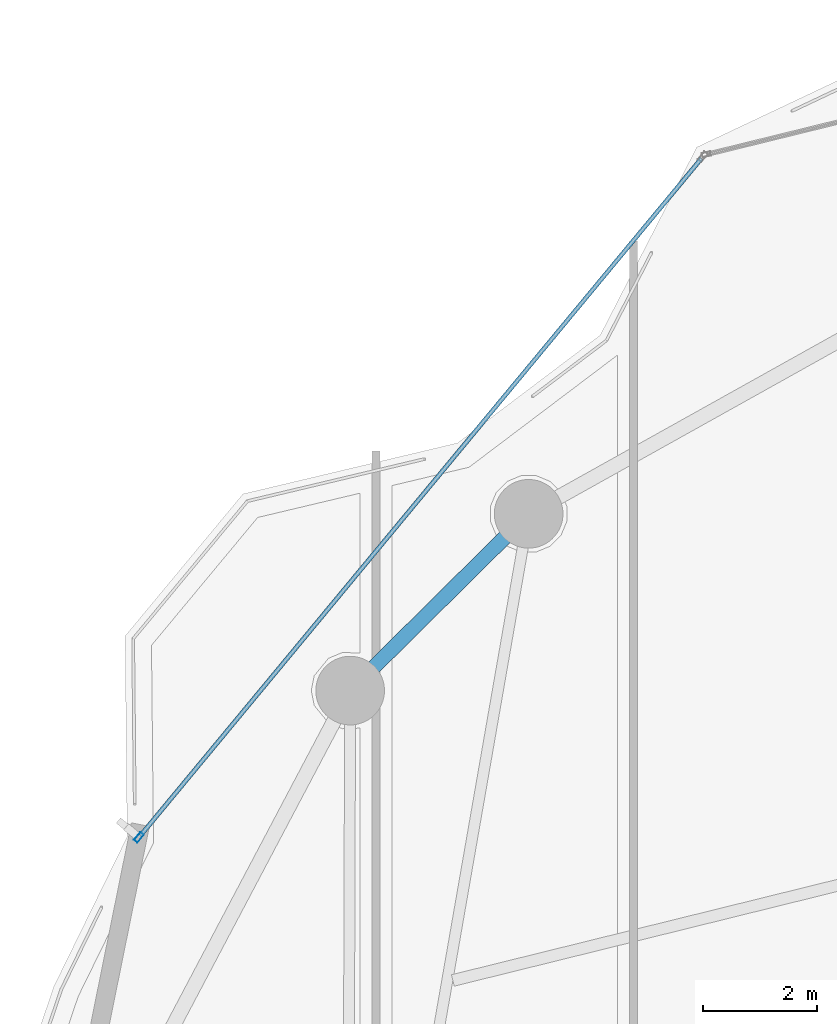
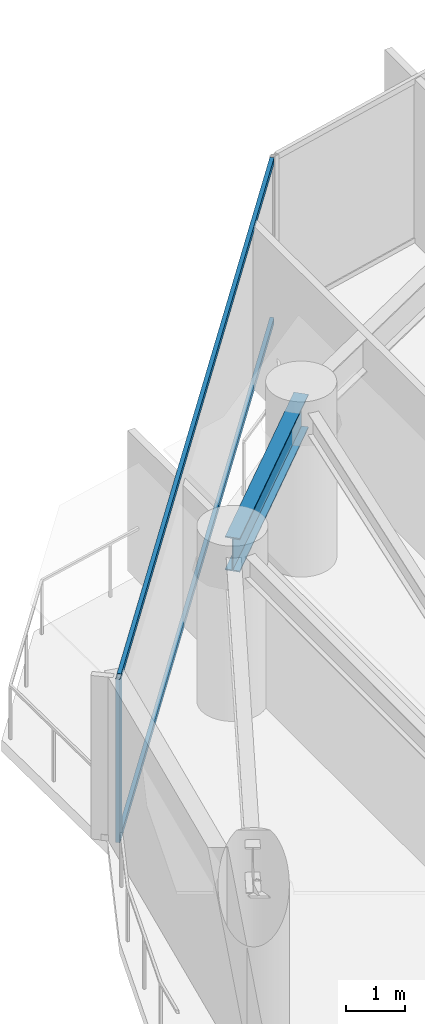
# One storey, part 16 of 28: 3 members, 1 beam, 1 element without a shape of its own.
"""IFC4 building model written with IfcOpenShell, lengths in metres."""

import ifcopenshell
import ifcopenshell.guid

model = None  # the IFC model being written
_history = None  # IfcOwnerHistory: only IFC2X3 demands one
_inside = {}  # id of a spatial element -> (the spatial element, [elements in it])
_under = {}  # id of a project, library or spatial element -> (it, [spatial elements below it])
_declared = {}  # id of a project -> (the project, [libraries it declares])
_typed = {}  # id of a type object -> (the type object, [elements of that type])
_made_of = {}  # id of a material, layer set ... -> (it, [elements and type objects made of it])


def new_model(schema):
    """Start an empty IFC model of exactly this schema.

    Asked for "IFC4X3", IfcOpenShell would pick the latest addendum, in which some entities
    have other attributes; the version numbers below select the first issue.
    IFC2X3 requires an IfcOwnerHistory on every rooted entity: one is made here for all.
    """
    global model, _history
    if schema == "IFC4X3":
        model = ifcopenshell.file(schema_version=(4, 3, 0, 0))
    else:
        model = ifcopenshell.file(schema=schema)
    _inside.clear()
    _under.clear()
    _declared.clear()
    _typed.clear()
    _made_of.clear()
    _history = None
    if model.schema == "IFC2X3":
        org = make("IfcOrganization", Name="unknown")
        user = make(
            "IfcPersonAndOrganization",
            ThePerson=make("IfcPerson", FamilyName="unknown"),
            TheOrganization=org,
        )
        app = make(
            "IfcApplication",
            ApplicationDeveloper=org,
            Version="unknown",
            ApplicationFullName="unknown",
            ApplicationIdentifier="unknown",
        )
        _history = make(
            "IfcOwnerHistory",
            OwningUser=user,
            OwningApplication=app,
            ChangeAction="ADDED",
            CreationDate=0,
        )
    return model


def make(cls, **values):
    """One entity of the class cls with the attributes given. An attribute that is None is left unset."""
    return model.create_entity(
        cls, **{name: value for name, value in values.items() if value is not None}
    )


def rooted(cls, **values):
    """An entity with a GlobalId (a new one), such as an element, a storey or a relation."""
    return make(cls, GlobalId=ifcopenshell.guid.new(), OwnerHistory=_history, **values)


def si_unit(unit_type, name, prefix=None):
    """IfcSIUnit, for example si_unit("LENGTHUNIT", "METRE", prefix="MILLI")."""
    return make("IfcSIUnit", UnitType=unit_type, Prefix=prefix, Name=name)


def assignment(units):
    """IfcUnitAssignment: the units of a project."""
    return None if units is None else make("IfcUnitAssignment", Units=units)


def point(xyz):
    """IfcCartesianPoint."""
    return None if xyz is None else make("IfcCartesianPoint", Coordinates=xyz)


def direction(xyz):
    """IfcDirection."""
    return None if xyz is None else make("IfcDirection", DirectionRatios=xyz)


def frame(location, z_axis=None, x_axis=None):
    """IfcAxis2Placement3D, a coordinate frame: its origin and axes. An axis left out is left unset."""
    return make(
        "IfcAxis2Placement3D",
        Location=point(location),
        Axis=direction(z_axis),
        RefDirection=direction(x_axis),
    )


def frame_2d(location, x_axis=None):
    """IfcAxis2Placement2D, a coordinate frame in the plane: its origin and x axis."""
    return make(
        "IfcAxis2Placement2D", Location=point(location), RefDirection=direction(x_axis)
    )


def origin():
    """The frame at (0, 0, 0) with its axes left unset."""
    return frame((0.0, 0.0, 0.0))


def origin_2d():
    """The frame at (0, 0) in the plane with its x axis left unset."""
    return frame_2d((0.0, 0.0))


def place(relative_to, where):
    """IfcLocalPlacement: puts the frame where relative to a parent placement (None: the world)."""
    return make(
        "IfcLocalPlacement", PlacementRelTo=relative_to, RelativePlacement=where
    )


def context(
    kind, dimensions, precision=None, world=None, true_north=None, identifier=None
):
    """IfcGeometricRepresentationContext, for example the 3D "Model" context."""
    return make(
        "IfcGeometricRepresentationContext",
        ContextIdentifier=identifier,
        ContextType=kind,
        CoordinateSpaceDimension=dimensions,
        Precision=precision,
        WorldCoordinateSystem=world,
        TrueNorth=true_north,
    )


def subcontext(parent, identifier, kind, view, scale=None):
    """IfcGeometricRepresentationSubContext, for example "Body" below "Model"."""
    return make(
        "IfcGeometricRepresentationSubContext",
        ContextIdentifier=identifier,
        ContextType=kind,
        ParentContext=parent,
        TargetScale=scale,
        TargetView=view,
    )


def project(units=None, contexts=None):
    """IfcProject with its units and contexts."""
    return rooted(
        "IfcProject",
        Name="project",
        RepresentationContexts=contexts,
        UnitsInContext=assignment(units),
    )


def spatial(cls, under=None, at=None, **own):
    """A site, building, storey or space (cls), placed at a placement, below another one or the project."""
    s = rooted(cls, ObjectPlacement=at, **own)
    if under is not None:
        _under.setdefault(under.id(), (under, []))[1].append(s)
    return s


def profile(cls, at=None, kind="AREA", **sizes):
    """A parametric profile (cls). Its sizes go by their IFC names, for example OverallWidth=200.0."""
    return make(cls, ProfileType=kind, Position=at, **sizes)


def hollow_rectangle(**sizes):
    """IfcRectangleHollowProfileDef."""
    return profile("IfcRectangleHollowProfileDef", **sizes)


def i_section(**sizes):
    """IfcIShapeProfileDef."""
    return profile("IfcIShapeProfileDef", **sizes)


def extrude(swept, where, along, depth):
    """IfcExtrudedAreaSolid: the profile swept, set in the frame where, extruded along a direction by depth."""
    return make(
        "IfcExtrudedAreaSolid",
        SweptArea=swept,
        Position=where,
        ExtrudedDirection=direction(along),
        Depth=depth,
    )


def shape(context_of_items, identifier, shape_type, items):
    """IfcShapeRepresentation: the items that make up one representation, for example the "Body"."""
    return make(
        "IfcShapeRepresentation",
        ContextOfItems=context_of_items,
        RepresentationIdentifier=identifier,
        RepresentationType=shape_type,
        Items=items,
    )


def material(Name=None, Category=None):
    """IfcMaterial."""
    return make("IfcMaterial", Name=Name, Category=Category)


def layer(
    of_material, thickness, ventilated=None, Name=None, Category=None, Priority=None
):
    """IfcMaterialLayer: one layer of a wall or slab, of a material (None: an air gap)."""
    return make(
        "IfcMaterialLayer",
        Material=of_material,
        LayerThickness=thickness,
        IsVentilated=ventilated,
        Name=Name,
        Category=Category,
        Priority=Priority,
    )


def layer_set(layers, Name=None):
    """IfcMaterialLayerSet."""
    return make("IfcMaterialLayerSet", MaterialLayers=layers, LayerSetName=Name)


def material_profile(
    of_material, cross_section, Name=None, Category=None, Priority=None
):
    """IfcMaterialProfile: a cross section and its material."""
    return make(
        "IfcMaterialProfile",
        Name=Name,
        Material=of_material,
        Profile=cross_section,
        Priority=Priority,
        Category=Category,
    )


def profile_set(profiles, Name=None, composite=None):
    """IfcMaterialProfileSet."""
    return make(
        "IfcMaterialProfileSet",
        Name=Name,
        MaterialProfiles=profiles,
        CompositeProfile=composite,
    )


def made_of(thing, what):
    """Note that an element or type object is made of a material, layer set ...; save() writes the relation."""
    if what is not None:
        _made_of.setdefault(what.id(), (what, []))[1].append(thing)
    return thing


def type_object(cls, material=None, **own):
    """A type object (cls), such as IfcWallType, which elements share."""
    return made_of(rooted(cls, **own), material)


def element(
    cls,
    number,
    at=None,
    inside=None,
    cuts=None,
    type_object=None,
    material=None,
    context=None,
    identifier="Body",
    shape_type=None,
    held_by="IfcProductDefinitionShape",
    body=None,
    shapes=None,
    **own,
):
    """One element of the class cls, such as IfcWall. Its Tag is "e" and its number.

    at: its placement. inside: the storey or other place that contains it. cuts: it is an
    opening in that element (IfcRelVoidsElement). A single representation is given by context,
    identifier, shape_type and body (its items); several are given by shapes. held_by: the class
    of the entity that holds the representations. save() writes the other relations.
    """
    e = rooted(cls, Tag="e%d" % number, ObjectPlacement=at, **own)
    if body is not None:
        shapes = [shape(context, identifier, shape_type, body)]
    if shapes is not None:
        e.Representation = make(held_by, Representations=shapes)
    if inside is not None:
        _inside.setdefault(inside.id(), (inside, []))[1].append(e)
    if cuts is not None:
        rooted(
            "IfcRelVoidsElement", RelatingBuildingElement=cuts, RelatedOpeningElement=e
        )
    if type_object is not None:
        _typed.setdefault(type_object.id(), (type_object, []))[1].append(e)
    return made_of(e, material)


def aggregate(whole, parts):
    """IfcRelAggregates: a whole, such as a stair, and the parts it consists of."""
    return rooted("IfcRelAggregates", RelatingObject=whole, RelatedObjects=parts)


def save(model, path):
    """Write the relations noted so far, then the file.

    IfcRelAggregates (storeys below a building ...), IfcRelContainedInSpatialStructure (elements
    in a storey), IfcRelDefinesByType, IfcRelAssociatesMaterial and IfcRelDeclares: one each for
    every whole, place, type object, material and project.
    """
    for whole, parts in _under.values():
        aggregate(whole, parts)
    for where, things in _inside.values():
        rooted(
            "IfcRelContainedInSpatialStructure",
            RelatedElements=things,
            RelatingStructure=where,
        )
    for kind, things in _typed.values():
        rooted("IfcRelDefinesByType", RelatedObjects=things, RelatingType=kind)
    for what, things in _made_of.values():
        rooted("IfcRelAssociatesMaterial", RelatedObjects=things, RelatingMaterial=what)
    for by, libraries in _declared.values():
        rooted("IfcRelDeclares", RelatingContext=by, RelatedDefinitions=libraries)
    model.write(path)


model = new_model("IFC4")

# Units and contexts
model_context = context("Model", 3, precision=1e-05, world=origin(), true_north=direction((0.0, 1.0)))
body_context = subcontext(model_context, "Body", "Model", "MODEL_VIEW")
ifc_project = project(units=[si_unit("LENGTHUNIT", "METRE"), si_unit("AREAUNIT", "SQUARE_METRE"), si_unit("VOLUMEUNIT", "CUBIC_METRE"), si_unit("PLANEANGLEUNIT", "RADIAN"), si_unit("MASSUNIT", "GRAM", prefix="KILO")], contexts=[model_context])

# Site, building, storey
site_placement = place(None, origin())
site = spatial("IfcSite", under=ifc_project, at=site_placement, CompositionType="ELEMENT")
building_placement = place(site_placement, origin())
building = spatial("IfcBuilding", under=site, at=building_placement, Name="Kazevale Care Tower and Concert Hall", CompositionType="ELEMENT")
storey_placement = place(building_placement, frame((0.0, 0.0, 135.0)))
storey = spatial("IfcBuildingStorey", under=building, at=storey_placement, Name="L35", CompositionType="ELEMENT", Elevation=135.0)

# Curtain wall, members
ifc_material_1 = material(Name="Aluminium 6063-T6 and Low-E Glass", Category="aluminium")
ifc_layer = layer(ifc_material_1, 0.179931640625)
ifc_layer_set = layer_set([ifc_layer], Name="Aluminium 6063-T6 and Low-E Glass")
curtain_wall_type = type_object("IfcCurtainWallType", Name="Convex Checkerboard Finned Curtain Wall CW-2", PredefinedType="NOTDEFINED", material=ifc_layer_set)
curtain_wall_placement = place(storey_placement, origin())
curtain_wall = element("IfcCurtainWall", 1, at=curtain_wall_placement, inside=storey, type_object=curtain_wall_type, Name="cw:L35:f14", PredefinedType="NOTDEFINED")
ifc_material_2 = material(Name="Aluminium 6063-T6", Category="aluminium")
ifc_material_profile_1 = material_profile(ifc_material_2, hollow_rectangle(XDim=0.080078125, YDim=0.179931640625, WallThickness=0.0048828125, at=origin_2d()), Name="ALU80x180x5")
ifc_profile_set_1 = profile_set([ifc_material_profile_1], Name="Aluminium 6063-T6")
member_type_1 = type_object("IfcMemberType", Name="CW-2 Mullion ALU80x180x5", PredefinedType="MULLION", material=ifc_profile_set_1)
member_1_placement = place(storey_placement, frame((18.357421875, 48.923828125, 0.0), z_axis=(0.0, 0.0, 1.0), x_axis=(-0.770049579196, 0.637984048061, 0.0)))
member_1 = element("IfcMember", 2, at=member_1_placement, type_object=member_type_1, Name="CW-2 mullion 1", PredefinedType="MULLION", context=body_context, shape_type="SweptSolid", body=[
    extrude(hollow_rectangle(XDim=0.080078125, YDim=0.179931640625, WallThickness=0.0048828125, at=origin_2d()), origin(), (0.0, 0.0, 1.0), 3.360107421875),
])
ifc_material_profile_2 = material_profile(ifc_material_2, hollow_rectangle(XDim=0.074951171875, YDim=0.1201171875, WallThickness=0.00390625, at=origin_2d()), Name="ALU75x120x4")
ifc_profile_set_2 = profile_set([ifc_material_profile_2], Name="Aluminium 6063-T6")
member_type_2 = type_object("IfcMemberType", Name="CW-2 Transom ALU75x120x4", PredefinedType="USERDEFINED", material=ifc_profile_set_2)
member_2_placement = place(storey_placement, frame((18.383056640625, 48.95458984375, 0.03759765625), z_axis=(0.637986649499, 0.770047423904, 0.0), x_axis=(-0.770047423904, 0.637986649499, 0.0)))
member_2 = element("IfcMember", 3, at=member_2_placement, type_object=member_type_2, Name="CW-2 transom 1.1", ObjectType="TRANSOM", PredefinedType="USERDEFINED", context=body_context, shape_type="SweptSolid", body=[
    extrude(hollow_rectangle(XDim=0.074951171875, YDim=0.1201171875, WallThickness=0.00390625, at=origin_2d()), origin(), (0.0, 0.0, 1.0), 15.3701171875),
])
member_3_placement = place(storey_placement, frame((18.383056640625, 48.95458984375, 3.322509765625), z_axis=(0.637986649499, 0.770047423904, 0.0), x_axis=(-0.770047423904, 0.637986649499, 0.0)))
member_3 = element("IfcMember", 4, at=member_3_placement, type_object=member_type_2, Name="CW-2 transom 1.2", ObjectType="TRANSOM", PredefinedType="USERDEFINED", context=body_context, shape_type="SweptSolid", body=[
    extrude(hollow_rectangle(XDim=0.074951171875, YDim=0.1201171875, WallThickness=0.00390625, at=origin_2d()), origin(), (0.0, 0.0, 1.0), 15.3701171875),
])
aggregate(curtain_wall, [member_1, member_2, member_3])

# Beam
ifc_material_3 = material(Name="Steel ASTM A572 Gr 50", Category="steel")
ifc_material_profile_3 = material_profile(ifc_material_3, i_section(OverallWidth=0.256103515625, OverallDepth=0.693115234375, WebThickness=0.014404296875, FlangeThickness=0.023681640625, at=origin_2d()), Name="W690x170")
ifc_profile_set_3 = profile_set([ifc_material_profile_3], Name="Steel ASTM A572 Gr 50")
beam_type = type_object("IfcBeamType", Name="Waist Ring Beam W690x170", PredefinedType="BEAM", material=ifc_profile_set_3)
beam_placement = place(storey_placement, frame((25.169921875, 54.580078125, 3.013427734375), z_axis=(-0.710490141585, -0.703707154085, 0.0), x_axis=(0.703707154085, -0.710490141585, 0.0)))
element("IfcBeam", 5, at=beam_placement, inside=storey, type_object=beam_type, Name="beam:L35:ring:07", PredefinedType="BEAM", context=body_context, shape_type="SweptSolid", body=[
    extrude(i_section(OverallWidth=0.256103515625, OverallDepth=0.693115234375, WebThickness=0.014404296875, FlangeThickness=0.023681640625, at=origin_2d()), origin(), (0.0, 0.0, 1.0), 4.39111328125),
])

save(model, "model.ifc")
